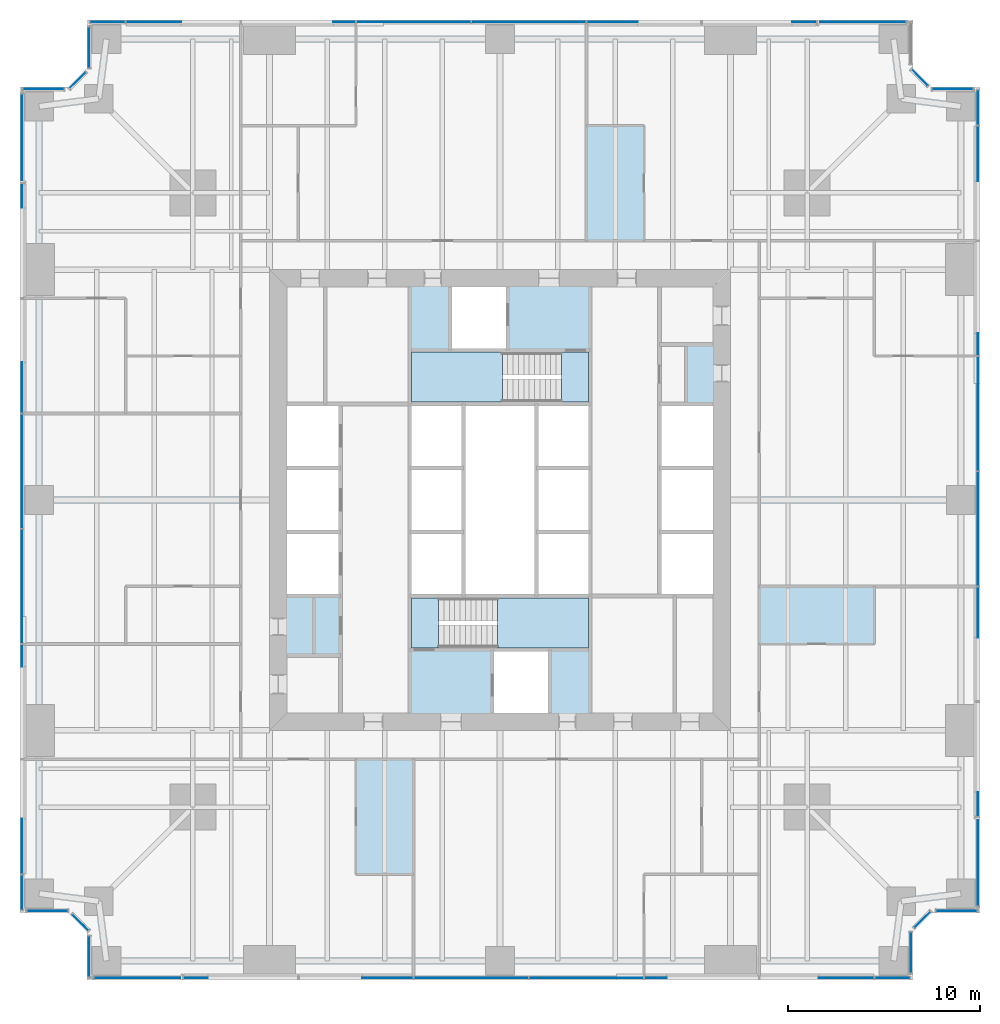
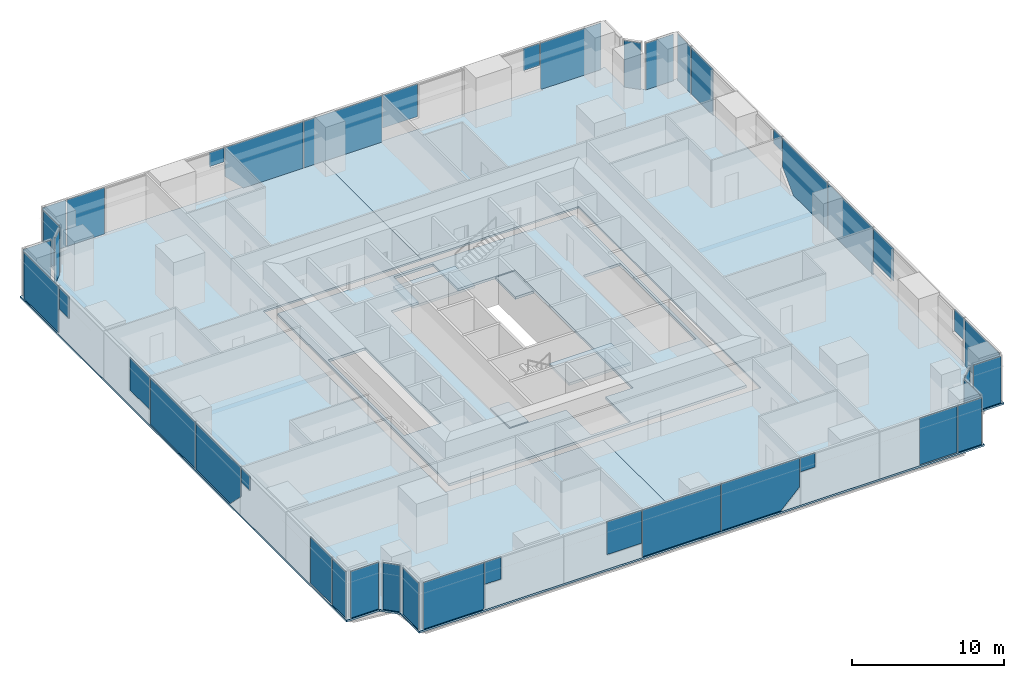
# One storey, part 8 of 15: 43 plates, 7 slabs, 17 elements without a shape of their own.
"""IFC4 building model written with IfcOpenShell, lengths in metres."""

import ifcopenshell
import ifcopenshell.guid

model = None  # the IFC model being written
_history = None  # IfcOwnerHistory: only IFC2X3 demands one
_inside = {}  # id of a spatial element -> (the spatial element, [elements in it])
_under = {}  # id of a project, library or spatial element -> (it, [spatial elements below it])
_declared = {}  # id of a project -> (the project, [libraries it declares])
_typed = {}  # id of a type object -> (the type object, [elements of that type])
_made_of = {}  # id of a material, layer set ... -> (it, [elements and type objects made of it])


def new_model(schema):
    """Start an empty IFC model of exactly this schema.

    Asked for "IFC4X3", IfcOpenShell would pick the latest addendum, in which some entities
    have other attributes; the version numbers below select the first issue.
    IFC2X3 requires an IfcOwnerHistory on every rooted entity: one is made here for all.
    """
    global model, _history
    if schema == "IFC4X3":
        model = ifcopenshell.file(schema_version=(4, 3, 0, 0))
    else:
        model = ifcopenshell.file(schema=schema)
    _inside.clear()
    _under.clear()
    _declared.clear()
    _typed.clear()
    _made_of.clear()
    _history = None
    if model.schema == "IFC2X3":
        org = make("IfcOrganization", Name="unknown")
        user = make(
            "IfcPersonAndOrganization",
            ThePerson=make("IfcPerson", FamilyName="unknown"),
            TheOrganization=org,
        )
        app = make(
            "IfcApplication",
            ApplicationDeveloper=org,
            Version="unknown",
            ApplicationFullName="unknown",
            ApplicationIdentifier="unknown",
        )
        _history = make(
            "IfcOwnerHistory",
            OwningUser=user,
            OwningApplication=app,
            ChangeAction="ADDED",
            CreationDate=0,
        )
    return model


def make(cls, **values):
    """One entity of the class cls with the attributes given. An attribute that is None is left unset."""
    return model.create_entity(
        cls, **{name: value for name, value in values.items() if value is not None}
    )


def rooted(cls, **values):
    """An entity with a GlobalId (a new one), such as an element, a storey or a relation."""
    return make(cls, GlobalId=ifcopenshell.guid.new(), OwnerHistory=_history, **values)


def si_unit(unit_type, name, prefix=None):
    """IfcSIUnit, for example si_unit("LENGTHUNIT", "METRE", prefix="MILLI")."""
    return make("IfcSIUnit", UnitType=unit_type, Prefix=prefix, Name=name)


def assignment(units):
    """IfcUnitAssignment: the units of a project."""
    return None if units is None else make("IfcUnitAssignment", Units=units)


def point(xyz):
    """IfcCartesianPoint."""
    return None if xyz is None else make("IfcCartesianPoint", Coordinates=xyz)


def direction(xyz):
    """IfcDirection."""
    return None if xyz is None else make("IfcDirection", DirectionRatios=xyz)


def frame(location, z_axis=None, x_axis=None):
    """IfcAxis2Placement3D, a coordinate frame: its origin and axes. An axis left out is left unset."""
    return make(
        "IfcAxis2Placement3D",
        Location=point(location),
        Axis=direction(z_axis),
        RefDirection=direction(x_axis),
    )


def frame_2d(location, x_axis=None):
    """IfcAxis2Placement2D, a coordinate frame in the plane: its origin and x axis."""
    return make(
        "IfcAxis2Placement2D", Location=point(location), RefDirection=direction(x_axis)
    )


def origin():
    """The frame at (0, 0, 0) with its axes left unset."""
    return frame((0.0, 0.0, 0.0))


def origin_2d():
    """The frame at (0, 0) in the plane with its x axis left unset."""
    return frame_2d((0.0, 0.0))


def place(relative_to, where):
    """IfcLocalPlacement: puts the frame where relative to a parent placement (None: the world)."""
    return make(
        "IfcLocalPlacement", PlacementRelTo=relative_to, RelativePlacement=where
    )


def context(
    kind, dimensions, precision=None, world=None, true_north=None, identifier=None
):
    """IfcGeometricRepresentationContext, for example the 3D "Model" context."""
    return make(
        "IfcGeometricRepresentationContext",
        ContextIdentifier=identifier,
        ContextType=kind,
        CoordinateSpaceDimension=dimensions,
        Precision=precision,
        WorldCoordinateSystem=world,
        TrueNorth=true_north,
    )


def subcontext(parent, identifier, kind, view, scale=None):
    """IfcGeometricRepresentationSubContext, for example "Body" below "Model"."""
    return make(
        "IfcGeometricRepresentationSubContext",
        ContextIdentifier=identifier,
        ContextType=kind,
        ParentContext=parent,
        TargetScale=scale,
        TargetView=view,
    )


def project(units=None, contexts=None):
    """IfcProject with its units and contexts."""
    return rooted(
        "IfcProject",
        Name="project",
        RepresentationContexts=contexts,
        UnitsInContext=assignment(units),
    )


def spatial(cls, under=None, at=None, **own):
    """A site, building, storey or space (cls), placed at a placement, below another one or the project."""
    s = rooted(cls, ObjectPlacement=at, **own)
    if under is not None:
        _under.setdefault(under.id(), (under, []))[1].append(s)
    return s


def polyline(points):
    """IfcPolyline through the points."""
    return make("IfcPolyline", Points=[point(p) for p in points])


def profile(cls, at=None, kind="AREA", **sizes):
    """A parametric profile (cls). Its sizes go by their IFC names, for example OverallWidth=200.0."""
    return make(cls, ProfileType=kind, Position=at, **sizes)


def rectangle(**sizes):
    """IfcRectangleProfileDef."""
    return profile("IfcRectangleProfileDef", **sizes)


def outline(outer, holes=None, kind="AREA"):
    """IfcArbitraryClosedProfileDef: a profile drawn as a closed curve; with holes, ...WithVoids."""
    if holes is None:
        return make("IfcArbitraryClosedProfileDef", ProfileType=kind, OuterCurve=outer)
    return make(
        "IfcArbitraryProfileDefWithVoids",
        ProfileType=kind,
        OuterCurve=outer,
        InnerCurves=holes,
    )


def extrude(swept, where, along, depth):
    """IfcExtrudedAreaSolid: the profile swept, set in the frame where, extruded along a direction by depth."""
    return make(
        "IfcExtrudedAreaSolid",
        SweptArea=swept,
        Position=where,
        ExtrudedDirection=direction(along),
        Depth=depth,
    )


def shape(context_of_items, identifier, shape_type, items):
    """IfcShapeRepresentation: the items that make up one representation, for example the "Body"."""
    return make(
        "IfcShapeRepresentation",
        ContextOfItems=context_of_items,
        RepresentationIdentifier=identifier,
        RepresentationType=shape_type,
        Items=items,
    )


def material(Name=None, Category=None):
    """IfcMaterial."""
    return make("IfcMaterial", Name=Name, Category=Category)


def layer(
    of_material, thickness, ventilated=None, Name=None, Category=None, Priority=None
):
    """IfcMaterialLayer: one layer of a wall or slab, of a material (None: an air gap)."""
    return make(
        "IfcMaterialLayer",
        Material=of_material,
        LayerThickness=thickness,
        IsVentilated=ventilated,
        Name=Name,
        Category=Category,
        Priority=Priority,
    )


def layer_set(layers, Name=None):
    """IfcMaterialLayerSet."""
    return make("IfcMaterialLayerSet", MaterialLayers=layers, LayerSetName=Name)


def made_of(thing, what):
    """Note that an element or type object is made of a material, layer set ...; save() writes the relation."""
    if what is not None:
        _made_of.setdefault(what.id(), (what, []))[1].append(thing)
    return thing


def type_object(cls, material=None, **own):
    """A type object (cls), such as IfcWallType, which elements share."""
    return made_of(rooted(cls, **own), material)


def element(
    cls,
    number,
    at=None,
    inside=None,
    cuts=None,
    type_object=None,
    material=None,
    context=None,
    identifier="Body",
    shape_type=None,
    held_by="IfcProductDefinitionShape",
    body=None,
    shapes=None,
    **own,
):
    """One element of the class cls, such as IfcWall. Its Tag is "e" and its number.

    at: its placement. inside: the storey or other place that contains it. cuts: it is an
    opening in that element (IfcRelVoidsElement). A single representation is given by context,
    identifier, shape_type and body (its items); several are given by shapes. held_by: the class
    of the entity that holds the representations. save() writes the other relations.
    """
    e = rooted(cls, Tag="e%d" % number, ObjectPlacement=at, **own)
    if body is not None:
        shapes = [shape(context, identifier, shape_type, body)]
    if shapes is not None:
        e.Representation = make(held_by, Representations=shapes)
    if inside is not None:
        _inside.setdefault(inside.id(), (inside, []))[1].append(e)
    if cuts is not None:
        rooted(
            "IfcRelVoidsElement", RelatingBuildingElement=cuts, RelatedOpeningElement=e
        )
    if type_object is not None:
        _typed.setdefault(type_object.id(), (type_object, []))[1].append(e)
    return made_of(e, material)


def aggregate(whole, parts):
    """IfcRelAggregates: a whole, such as a stair, and the parts it consists of."""
    return rooted("IfcRelAggregates", RelatingObject=whole, RelatedObjects=parts)


def save(model, path):
    """Write the relations noted so far, then the file.

    IfcRelAggregates (storeys below a building ...), IfcRelContainedInSpatialStructure (elements
    in a storey), IfcRelDefinesByType, IfcRelAssociatesMaterial and IfcRelDeclares: one each for
    every whole, place, type object, material and project.
    """
    for whole, parts in _under.values():
        aggregate(whole, parts)
    for where, things in _inside.values():
        rooted(
            "IfcRelContainedInSpatialStructure",
            RelatedElements=things,
            RelatingStructure=where,
        )
    for kind, things in _typed.values():
        rooted("IfcRelDefinesByType", RelatedObjects=things, RelatingType=kind)
    for what, things in _made_of.values():
        rooted("IfcRelAssociatesMaterial", RelatedObjects=things, RelatingMaterial=what)
    for by, libraries in _declared.values():
        rooted("IfcRelDeclares", RelatingContext=by, RelatedDefinitions=libraries)
    model.write(path)


model = new_model("IFC4")

# Units and contexts
model_context = context("Model", 3, precision=1e-05, world=origin(), true_north=direction((0.0, 1.0)))
body_context = subcontext(model_context, "Body", "Model", "MODEL_VIEW")
ifc_project = project(units=[si_unit("LENGTHUNIT", "METRE"), si_unit("AREAUNIT", "SQUARE_METRE"), si_unit("VOLUMEUNIT", "CUBIC_METRE"), si_unit("PLANEANGLEUNIT", "RADIAN"), si_unit("MASSUNIT", "GRAM", prefix="KILO")], contexts=[model_context])

# Site, building, storey
site_placement = place(None, origin())
site = spatial("IfcSite", under=ifc_project, at=site_placement, CompositionType="ELEMENT")
building_placement = place(site_placement, origin())
building = spatial("IfcBuilding", under=site, at=building_placement, Name="Fenwick Lantern Interchange", CompositionType="ELEMENT")
storey_placement = place(building_placement, frame((0.0, 0.0, 51.0)))
storey = spatial("IfcBuildingStorey", under=building, at=storey_placement, Name="L11", CompositionType="ELEMENT", Elevation=51.0)

# Slabs
ifc_material_1 = material(Name="Concrete f'c 35 MPa", Category="concrete")
ifc_layer_1 = layer(ifc_material_1, 0.199951171875)
ifc_layer_set_1 = layer_set([ifc_layer_1], Name="CORE FLOOR SLAB 200")
slab_type_1 = type_object("IfcSlabType", Name="CORE FLOOR SLAB 200", PredefinedType="FLOOR", material=ifc_layer_set_1)
slab_1_placement = place(storey_placement, frame((0.0, 0.0, -0.199951171875)))
element("IfcSlab", 1, at=slab_1_placement, inside=storey, type_object=slab_type_1, Name="L11/SLAB/CORE", PredefinedType="FLOOR", context=body_context, shape_type="SweptSolid", body=[
    extrude(outline(polyline([(13.699951171875, 36.300048828125), (36.300048828125, 36.300048828125), (36.300048828125, 13.699951171875), (13.699951171875, 13.699951171875), (13.699951171875, 36.300048828125)]), holes=[polyline([(13.89990234375, 20.0), (16.699951171875, 20.0), (16.699951171875, 23.333251953125), (16.699951171875, 26.666748046875), (16.699951171875, 30.0), (13.89990234375, 30.0), (13.89990234375, 26.666748046875), (13.89990234375, 23.333251953125), (13.89990234375, 20.0)]), polyline([(20.300048828125, 20.0), (20.300048828125, 17.199951171875), (24.60009765625, 17.199951171875), (24.60009765625, 13.89990234375), (27.60009765625, 13.89990234375), (27.60009765625, 17.199951171875), (29.699951171875, 17.199951171875), (29.699951171875, 20.0), (29.699951171875, 23.333251953125), (29.699951171875, 26.666748046875), (29.699951171875, 30.0), (29.699951171875, 32.800048828125), (25.39990234375, 32.800048828125), (25.39990234375, 36.10009765625), (22.39990234375, 36.10009765625), (22.39990234375, 32.800048828125), (20.300048828125, 32.800048828125), (20.300048828125, 30.0), (20.300048828125, 26.666748046875), (20.300048828125, 23.333251953125), (20.300048828125, 20.0)]), polyline([(33.300048828125, 23.333251953125), (33.300048828125, 20.0), (36.10009765625, 20.0), (36.10009765625, 23.333251953125), (36.10009765625, 26.666748046875), (36.10009765625, 30.0), (33.300048828125, 30.0), (33.300048828125, 26.666748046875), (33.300048828125, 23.333251953125)])]), origin(), (0.0, 0.0, 1.0), 0.199951171875),
])
ifc_material_2 = material(Name="Concrete f'c 35 MPa", Category="concrete")
ifc_layer_2 = layer(ifc_material_2, 0.14990234375)
ifc_layer_set_2 = layer_set([ifc_layer_2], Name="Concrete f'c 35 MPa")
slab_type_2 = type_object("IfcSlabType", Name="FLOOR SLAB 150", PredefinedType="FLOOR", material=ifc_layer_set_2)
slab_2_placement = place(storey_placement, frame((0.0, 0.0, -0.14990234375)))
element("IfcSlab", 2, at=slab_2_placement, inside=storey, type_object=slab_type_2, Name="L11/SLAB/FW", PredefinedType="FLOOR", context=body_context, shape_type="SweptSolid", body=[
    extrude(outline(polyline([(3.5, 0.0), (3.5, 2.5), (2.5, 3.5), (0.0, 3.5), (0.0, 46.5), (2.5, 46.5), (3.5, 47.5), (3.5, 50.0), (25.0, 50.0), (25.0, 37.0), (13.0, 37.0), (13.0, 13.0), (25.0, 13.0), (25.0, 0.0), (3.5, 0.0)])), origin(), (0.0, 0.0, 1.0), 0.14990234375),
])
slab_3_placement = place(storey_placement, frame((0.0, 0.0, -0.14990234375)))
element("IfcSlab", 3, at=slab_3_placement, inside=storey, type_object=slab_type_2, Name="L11/SLAB/FE", PredefinedType="FLOOR", context=body_context, shape_type="SweptSolid", body=[
    extrude(outline(polyline([(46.5, 50.0), (46.5, 47.5), (47.5, 46.5), (50.0, 46.5), (50.0, 3.5), (47.5, 3.5), (46.5, 2.5), (46.5, 0.0), (25.0, 0.0), (25.0, 13.0), (37.0, 13.0), (37.0, 37.0), (25.0, 37.0), (25.0, 50.0), (46.5, 50.0)])), origin(), (0.0, 0.0, 1.0), 0.14990234375),
])

# Curtain wall, plates
ifc_material_3 = material(Name="Aluminium curtain wall frame", Category="aluminium")
curtain_wall_type = type_object("IfcCurtainWallType", Name="OFFICE CURTAIN WALL", PredefinedType="USERDEFINED", material=ifc_material_3)
curtain_wall_1_placement = place(storey_placement, origin())
curtain_wall_1 = element("IfcCurtainWall", 4, at=curtain_wall_1_placement, inside=storey, type_object=curtain_wall_type, Name="Office curtain wall 01", ObjectType="OFFICE CURTAIN WALL", PredefinedType="USERDEFINED")
ifc_material_4 = material(Name="Vision glass, clear low-iron double glazed", Category="glass")
ifc_layer_3 = layer(ifc_material_4, 0.031982421875)
ifc_layer_set_3 = layer_set([ifc_layer_3], Name="OFFICE CURTAIN WALL PANEL 32")
plate_type = type_object("IfcPlateType", Name="OFFICE CURTAIN WALL PANEL 32", PredefinedType="CURTAIN_PANEL", material=ifc_layer_set_3)
plate_1_placement = place(storey_placement, frame((3.60009765625, 0.10009765625, 0.0), z_axis=(0.0, 0.0, 1.0), x_axis=(1.0, 0.0, 0.0)))
plate_1 = element("IfcPlate", 5, at=plate_1_placement, type_object=plate_type, Name="L11/CW/01/P00a", PredefinedType="CURTAIN_PANEL", context=body_context, shape_type="SweptSolid", body=[
    extrude(outline(polyline([(0.264892578125, 0.0), (4.7900390625, 0.0), (4.867431640625, 0.109375), (4.867431640625, 3.75), (0.264892578125, 3.75), (0.264892578125, 0.0)])), frame((0.0, 0.01611328125, 0.0), z_axis=(0.0, -1.0, 0.0), x_axis=(1.0, 0.0, 0.0)), (0.0, 0.0, 1.0), 0.031982421875),
])
plate_2_placement = place(storey_placement, frame((3.60009765625, 0.10009765625, 1.972900390625), z_axis=(0.0, 0.0, 1.0), x_axis=(1.0, 0.0, 0.0)))
plate_2 = element("IfcPlate", 6, at=plate_2_placement, type_object=plate_type, Name="L11/CW/01/P01a", PredefinedType="CURTAIN_PANEL", context=body_context, shape_type="SweptSolid", body=[
    extrude(outline(polyline([(4.9326171875, 0.0), (6.1875, 0.0), (6.1875, 1.777099609375), (4.9326171875, 1.777099609375), (4.9326171875, 0.0)])), frame((0.0, 0.01611328125, 0.0), z_axis=(0.0, -1.0, 0.0), x_axis=(1.0, 0.0, 0.0)), (0.0, 0.0, 1.0), 0.031982421875),
])
plate_3_placement = place(storey_placement, frame((3.60009765625, 0.10009765625, 1.10888671875), z_axis=(0.0, 0.0, 1.0), x_axis=(1.0, 0.0, 0.0)))
plate_3 = element("IfcPlate", 7, at=plate_3_placement, type_object=plate_type, Name="L11/CW/01/P02a", PredefinedType="CURTAIN_PANEL", context=body_context, shape_type="SweptSolid", body=[
    extrude(outline(polyline([(14.23046875, 0.0), (16.867431640625, 0.0), (16.867431640625, 2.64111328125), (14.23046875, 2.64111328125), (14.23046875, 0.0)])), frame((0.0, 0.01611328125, 0.0), z_axis=(0.0, -1.0, 0.0), x_axis=(1.0, 0.0, 0.0)), (0.0, 0.0, 1.0), 0.031982421875),
])
plate_4_placement = place(storey_placement, frame((23.5, 0.10009765625, 0.0), z_axis=(0.0, 0.0, 1.0), x_axis=(1.0, 0.0, 0.0)))
plate_4 = element("IfcPlate", 8, at=plate_4_placement, type_object=plate_type, Name="L11/CW/01/P03", PredefinedType="CURTAIN_PANEL", context=body_context, shape_type="SweptSolid", body=[
    extrude(rectangle(XDim=5.93505859375, YDim=0.031982421875, at=origin_2d()), origin(), (0.0, 0.0, 1.0), 3.75),
])
plate_5_placement = place(storey_placement, frame((3.60009765625, 0.10009765625, 0.0), z_axis=(0.0, 0.0, 1.0), x_axis=(1.0, 0.0, 0.0)))
plate_5 = element("IfcPlate", 9, at=plate_5_placement, type_object=plate_type, Name="L11/CW/01/P04a", PredefinedType="CURTAIN_PANEL", context=body_context, shape_type="SweptSolid", body=[
    extrude(outline(polyline([(22.9326171875, 0.0), (27.46044921875, 0.0), (28.867431640625, 1.406982421875), (28.867431640625, 3.75), (22.9326171875, 3.75), (22.9326171875, 0.0)])), frame((0.0, 0.01611328125, 0.0), z_axis=(0.0, -1.0, 0.0), x_axis=(1.0, 0.0, 0.0)), (0.0, 0.0, 1.0), 0.031982421875),
])
plate_6_placement = place(storey_placement, frame((3.60009765625, 0.10009765625, 2.612060546875), z_axis=(0.0, 0.0, 1.0), x_axis=(1.0, 0.0, 0.0)))
plate_6 = element("IfcPlate", 10, at=plate_6_placement, type_object=plate_type, Name="L11/CW/01/P05a", PredefinedType="CURTAIN_PANEL", context=body_context, shape_type="SweptSolid", body=[
    extrude(outline(polyline([(28.9326171875, 0.0), (30.072509765625, 0.0), (30.072509765625, 1.137939453125), (28.9326171875, 1.137939453125), (28.9326171875, 0.0)])), frame((0.0, 0.01611328125, 0.0), z_axis=(0.0, -1.0, 0.0), x_axis=(1.0, 0.0, 0.0)), (0.0, 0.0, 1.0), 0.031982421875),
])
plate_7_placement = place(storey_placement, frame((3.60009765625, 0.10009765625, 0.006103515625), z_axis=(0.0, 0.0, 1.0), x_axis=(1.0, 0.0, 0.0)))
plate_7 = element("IfcPlate", 11, at=plate_7_placement, type_object=plate_type, Name="L11/CW/01/P06a", PredefinedType="CURTAIN_PANEL", context=body_context, shape_type="SweptSolid", body=[
    extrude(outline(polyline([(38.005615234375, 0.0), (40.867431640625, 0.0), (40.867431640625, 3.743896484375), (38.005615234375, 3.743896484375), (38.005615234375, 0.0)])), frame((0.0, 0.01611328125, 0.0), z_axis=(0.0, -1.0, 0.0), x_axis=(1.0, 0.0, 0.0)), (0.0, 0.0, 1.0), 0.031982421875),
])
plate_8_placement = place(storey_placement, frame((45.433837890625, 0.10009765625, 0.0), z_axis=(0.0, 0.0, 1.0), x_axis=(1.0, 0.0, 0.0)))
plate_8 = element("IfcPlate", 12, at=plate_8_placement, type_object=plate_type, Name="L11/CW/01/P07", PredefinedType="CURTAIN_PANEL", context=body_context, shape_type="SweptSolid", body=[
    extrude(rectangle(XDim=1.802490234375, YDim=0.031982421875, at=origin_2d()), origin(), (0.0, 0.0, 1.0), 3.75),
])
aggregate(curtain_wall_1, [plate_1, plate_2, plate_3, plate_4, plate_5, plate_6, plate_7, plate_8])

# Curtain wall, plate
curtain_wall_2_placement = place(storey_placement, origin())
curtain_wall_2 = element("IfcCurtainWall", 13, at=curtain_wall_2_placement, inside=storey, type_object=curtain_wall_type, Name="Office curtain wall 02", ObjectType="OFFICE CURTAIN WALL", PredefinedType="USERDEFINED")
plate_9_placement = place(storey_placement, frame((46.39990234375, 1.420654296875, 0.0), z_axis=(0.0, 0.0, 1.0), x_axis=(0.0, 1.0, 0.0)))
plate_9 = element("IfcPlate", 14, at=plate_9_placement, type_object=plate_type, Name="L11/CW/02/P00", PredefinedType="CURTAIN_PANEL", context=body_context, shape_type="SweptSolid", body=[
    extrude(rectangle(XDim=2.111328125, YDim=0.031982421875, at=origin_2d()), origin(), (0.0, 0.0, 1.0), 3.75),
])
aggregate(curtain_wall_2, [plate_9])

curtain_wall_3_placement = place(storey_placement, origin())
curtain_wall_3 = element("IfcCurtainWall", 15, at=curtain_wall_3_placement, inside=storey, type_object=curtain_wall_type, Name="Office curtain wall 03", ObjectType="OFFICE CURTAIN WALL", PredefinedType="USERDEFINED")
plate_10_placement = place(storey_placement, frame((47.0, 3.141357421875, 0.0), z_axis=(0.0, 0.0, 1.0), x_axis=(0.707106781187, 0.707106781187, 0.0)))
plate_10 = element("IfcPlate", 16, at=plate_10_placement, type_object=plate_type, Name="L11/CW/03/P00", PredefinedType="CURTAIN_PANEL", context=body_context, shape_type="SweptSolid", body=[
    extrude(rectangle(XDim=1.1669921875, YDim=0.031982421875, at=origin_2d()), origin(), (0.0, 0.0, 1.0), 3.75),
])
aggregate(curtain_wall_3, [plate_10])

curtain_wall_4_placement = place(storey_placement, origin())
curtain_wall_4 = element("IfcCurtainWall", 17, at=curtain_wall_4_placement, inside=storey, type_object=curtain_wall_type, Name="Office curtain wall 04", ObjectType="OFFICE CURTAIN WALL", PredefinedType="USERDEFINED")
plate_11_placement = place(storey_placement, frame((48.779296875, 3.60009765625, 0.0), z_axis=(0.0, 0.0, 1.0), x_axis=(1.0, 0.0, 0.0)))
plate_11 = element("IfcPlate", 18, at=plate_11_placement, type_object=plate_type, Name="L11/CW/04/P00", PredefinedType="CURTAIN_PANEL", context=body_context, shape_type="SweptSolid", body=[
    extrude(rectangle(XDim=2.111328125, YDim=0.031982421875, at=origin_2d()), origin(), (0.0, 0.0, 1.0), 3.75),
])
aggregate(curtain_wall_4, [plate_11])

# Curtain wall, plates
curtain_wall_5_placement = place(storey_placement, origin())
curtain_wall_5 = element("IfcCurtainWall", 19, at=curtain_wall_5_placement, inside=storey, type_object=curtain_wall_type, Name="Office curtain wall 05", ObjectType="OFFICE CURTAIN WALL", PredefinedType="USERDEFINED")
plate_12_placement = place(storey_placement, frame((49.89990234375, 3.60009765625, 0.0), z_axis=(0.0, 0.0, 1.0), x_axis=(0.0, 1.0, 0.0)))
plate_12 = element("IfcPlate", 20, at=plate_12_placement, type_object=plate_type, Name="L11/CW/05/P00a", PredefinedType="CURTAIN_PANEL", context=body_context, shape_type="SweptSolid", body=[
    extrude(outline(polyline([(0.264892578125, 0.0), (4.7900390625, 0.0), (4.867431640625, 0.109375), (4.867431640625, 3.75), (0.264892578125, 3.75), (0.264892578125, 0.0)])), frame((0.0, 0.01611328125, 0.0), z_axis=(0.0, -1.0, 0.0), x_axis=(1.0, 0.0, 0.0)), (0.0, 0.0, 1.0), 0.031982421875),
])
plate_13_placement = place(storey_placement, frame((49.89990234375, 3.60009765625, 1.972900390625), z_axis=(0.0, 0.0, 1.0), x_axis=(0.0, 1.0, 0.0)))
plate_13 = element("IfcPlate", 21, at=plate_13_placement, type_object=plate_type, Name="L11/CW/05/P01a", PredefinedType="CURTAIN_PANEL", context=body_context, shape_type="SweptSolid", body=[
    extrude(outline(polyline([(4.9326171875, 0.0), (6.1875, 0.0), (6.1875, 1.777099609375), (4.9326171875, 1.777099609375), (4.9326171875, 0.0)])), frame((0.0, 0.01611328125, 0.0), z_axis=(0.0, -1.0, 0.0), x_axis=(1.0, 0.0, 0.0)), (0.0, 0.0, 1.0), 0.031982421875),
])
plate_14_placement = place(storey_placement, frame((49.89990234375, 3.60009765625, 1.10888671875), z_axis=(0.0, 0.0, 1.0), x_axis=(0.0, 1.0, 0.0)))
plate_14 = element("IfcPlate", 22, at=plate_14_placement, type_object=plate_type, Name="L11/CW/05/P02a", PredefinedType="CURTAIN_PANEL", context=body_context, shape_type="SweptSolid", body=[
    extrude(outline(polyline([(14.23046875, 0.0), (16.867431640625, 0.0), (16.867431640625, 2.64111328125), (14.23046875, 2.64111328125), (14.23046875, 0.0)])), frame((0.0, 0.01611328125, 0.0), z_axis=(0.0, -1.0, 0.0), x_axis=(1.0, 0.0, 0.0)), (0.0, 0.0, 1.0), 0.031982421875),
])
plate_15_placement = place(storey_placement, frame((49.89990234375, 23.5, 0.0), z_axis=(0.0, 0.0, 1.0), x_axis=(0.0, 1.0, 0.0)))
plate_15 = element("IfcPlate", 23, at=plate_15_placement, type_object=plate_type, Name="L11/CW/05/P03", PredefinedType="CURTAIN_PANEL", context=body_context, shape_type="SweptSolid", body=[
    extrude(rectangle(XDim=5.93505859375, YDim=0.031982421875, at=origin_2d()), origin(), (0.0, 0.0, 1.0), 3.75),
])
plate_16_placement = place(storey_placement, frame((49.89990234375, 3.60009765625, 0.0), z_axis=(0.0, 0.0, 1.0), x_axis=(0.0, 1.0, 0.0)))
plate_16 = element("IfcPlate", 24, at=plate_16_placement, type_object=plate_type, Name="L11/CW/05/P04a", PredefinedType="CURTAIN_PANEL", context=body_context, shape_type="SweptSolid", body=[
    extrude(outline(polyline([(22.9326171875, 0.0), (27.46044921875, 0.0), (28.867431640625, 1.406982421875), (28.867431640625, 3.75), (22.9326171875, 3.75), (22.9326171875, 0.0)])), frame((0.0, 0.01611328125, 0.0), z_axis=(0.0, -1.0, 0.0), x_axis=(1.0, 0.0, 0.0)), (0.0, 0.0, 1.0), 0.031982421875),
])
plate_17_placement = place(storey_placement, frame((49.89990234375, 3.60009765625, 2.612060546875), z_axis=(0.0, 0.0, 1.0), x_axis=(0.0, 1.0, 0.0)))
plate_17 = element("IfcPlate", 25, at=plate_17_placement, type_object=plate_type, Name="L11/CW/05/P05a", PredefinedType="CURTAIN_PANEL", context=body_context, shape_type="SweptSolid", body=[
    extrude(outline(polyline([(28.9326171875, 0.0), (30.072509765625, 0.0), (30.072509765625, 1.137939453125), (28.9326171875, 1.137939453125), (28.9326171875, 0.0)])), frame((0.0, 0.01611328125, 0.0), z_axis=(0.0, -1.0, 0.0), x_axis=(1.0, 0.0, 0.0)), (0.0, 0.0, 1.0), 0.031982421875),
])
plate_18_placement = place(storey_placement, frame((49.89990234375, 3.60009765625, 0.006103515625), z_axis=(0.0, 0.0, 1.0), x_axis=(0.0, 1.0, 0.0)))
plate_18 = element("IfcPlate", 26, at=plate_18_placement, type_object=plate_type, Name="L11/CW/05/P06a", PredefinedType="CURTAIN_PANEL", context=body_context, shape_type="SweptSolid", body=[
    extrude(outline(polyline([(38.005615234375, 0.0), (40.867431640625, 0.0), (40.867431640625, 3.743896484375), (38.005615234375, 3.743896484375), (38.005615234375, 0.0)])), frame((0.0, 0.01611328125, 0.0), z_axis=(0.0, -1.0, 0.0), x_axis=(1.0, 0.0, 0.0)), (0.0, 0.0, 1.0), 0.031982421875),
])
plate_19_placement = place(storey_placement, frame((49.89990234375, 45.433837890625, 0.0), z_axis=(0.0, 0.0, 1.0), x_axis=(0.0, 1.0, 0.0)))
plate_19 = element("IfcPlate", 27, at=plate_19_placement, type_object=plate_type, Name="L11/CW/05/P07", PredefinedType="CURTAIN_PANEL", context=body_context, shape_type="SweptSolid", body=[
    extrude(rectangle(XDim=1.802490234375, YDim=0.031982421875, at=origin_2d()), origin(), (0.0, 0.0, 1.0), 3.75),
])
aggregate(curtain_wall_5, [plate_12, plate_13, plate_14, plate_15, plate_16, plate_17, plate_18, plate_19])

# Curtain wall, plate
curtain_wall_6_placement = place(storey_placement, origin())
curtain_wall_6 = element("IfcCurtainWall", 28, at=curtain_wall_6_placement, inside=storey, type_object=curtain_wall_type, Name="Office curtain wall 06", ObjectType="OFFICE CURTAIN WALL", PredefinedType="USERDEFINED")
plate_20_placement = place(storey_placement, frame((48.579345703125, 46.39990234375, 0.0), z_axis=(0.0, 0.0, 1.0), x_axis=(-1.0, 0.0, 0.0)))
plate_20 = element("IfcPlate", 29, at=plate_20_placement, type_object=plate_type, Name="L11/CW/06/P00", PredefinedType="CURTAIN_PANEL", context=body_context, shape_type="SweptSolid", body=[
    extrude(rectangle(XDim=2.111328125, YDim=0.031982421875, at=origin_2d()), origin(), (0.0, 0.0, 1.0), 3.75),
])
aggregate(curtain_wall_6, [plate_20])

curtain_wall_7_placement = place(storey_placement, origin())
curtain_wall_7 = element("IfcCurtainWall", 30, at=curtain_wall_7_placement, inside=storey, type_object=curtain_wall_type, Name="Office curtain wall 07", ObjectType="OFFICE CURTAIN WALL", PredefinedType="USERDEFINED")
plate_21_placement = place(storey_placement, frame((46.858642578125, 47.0, 0.0), z_axis=(0.0, 0.0, 1.0), x_axis=(-0.707106781187, 0.707106781187, 0.0)))
plate_21 = element("IfcPlate", 31, at=plate_21_placement, type_object=plate_type, Name="L11/CW/07/P00", PredefinedType="CURTAIN_PANEL", context=body_context, shape_type="SweptSolid", body=[
    extrude(rectangle(XDim=1.1669921875, YDim=0.031982421875, at=origin_2d()), origin(), (0.0, 0.0, 1.0), 3.75),
])
aggregate(curtain_wall_7, [plate_21])

# Curtain wall, plates
curtain_wall_8_placement = place(storey_placement, origin())
curtain_wall_8 = element("IfcCurtainWall", 32, at=curtain_wall_8_placement, inside=storey, type_object=curtain_wall_type, Name="Office curtain wall 09", ObjectType="OFFICE CURTAIN WALL", PredefinedType="USERDEFINED")
plate_22_placement = place(storey_placement, frame((46.39990234375, 49.89990234375, 0.0), z_axis=(0.0, 0.0, 1.0), x_axis=(-1.0, 0.0, 0.0)))
plate_22 = element("IfcPlate", 33, at=plate_22_placement, type_object=plate_type, Name="L11/CW/09/P00a", PredefinedType="CURTAIN_PANEL", context=body_context, shape_type="SweptSolid", body=[
    extrude(outline(polyline([(0.264892578125, 0.0), (4.7900390625, 0.0), (4.867431640625, 0.109375), (4.867431640625, 3.75), (0.264892578125, 3.75), (0.264892578125, 0.0)])), frame((0.0, 0.01611328125, 0.0), z_axis=(0.0, -1.0, 0.0), x_axis=(1.0, 0.0, 0.0)), (0.0, 0.0, 1.0), 0.031982421875),
])
plate_23_placement = place(storey_placement, frame((46.39990234375, 49.89990234375, 1.972900390625), z_axis=(0.0, 0.0, 1.0), x_axis=(-1.0, 0.0, 0.0)))
plate_23 = element("IfcPlate", 34, at=plate_23_placement, type_object=plate_type, Name="L11/CW/09/P01a", PredefinedType="CURTAIN_PANEL", context=body_context, shape_type="SweptSolid", body=[
    extrude(outline(polyline([(4.9326171875, 0.0), (6.1875, 0.0), (6.1875, 1.777099609375), (4.9326171875, 1.777099609375), (4.9326171875, 0.0)])), frame((0.0, 0.01611328125, 0.0), z_axis=(0.0, -1.0, 0.0), x_axis=(1.0, 0.0, 0.0)), (0.0, 0.0, 1.0), 0.031982421875),
])
plate_24_placement = place(storey_placement, frame((46.39990234375, 49.89990234375, 1.10888671875), z_axis=(0.0, 0.0, 1.0), x_axis=(-1.0, 0.0, 0.0)))
plate_24 = element("IfcPlate", 35, at=plate_24_placement, type_object=plate_type, Name="L11/CW/09/P02a", PredefinedType="CURTAIN_PANEL", context=body_context, shape_type="SweptSolid", body=[
    extrude(outline(polyline([(14.23046875, 0.0), (16.867431640625, 0.0), (16.867431640625, 2.64111328125), (14.23046875, 2.64111328125), (14.23046875, 0.0)])), frame((0.0, 0.01611328125, 0.0), z_axis=(0.0, -1.0, 0.0), x_axis=(1.0, 0.0, 0.0)), (0.0, 0.0, 1.0), 0.031982421875),
])
plate_25_placement = place(storey_placement, frame((26.5, 49.89990234375, 0.0), z_axis=(0.0, 0.0, 1.0), x_axis=(-1.0, 0.0, 0.0)))
plate_25 = element("IfcPlate", 36, at=plate_25_placement, type_object=plate_type, Name="L11/CW/09/P03", PredefinedType="CURTAIN_PANEL", context=body_context, shape_type="SweptSolid", body=[
    extrude(rectangle(XDim=5.93505859375, YDim=0.031982421875, at=origin_2d()), origin(), (0.0, 0.0, 1.0), 3.75),
])
plate_26_placement = place(storey_placement, frame((46.39990234375, 49.89990234375, 0.0), z_axis=(0.0, 0.0, 1.0), x_axis=(-1.0, 0.0, 0.0)))
plate_26 = element("IfcPlate", 37, at=plate_26_placement, type_object=plate_type, Name="L11/CW/09/P04a", PredefinedType="CURTAIN_PANEL", context=body_context, shape_type="SweptSolid", body=[
    extrude(outline(polyline([(22.9326171875, 0.0), (27.46044921875, 0.0), (28.867431640625, 1.406982421875), (28.867431640625, 3.75), (22.9326171875, 3.75), (22.9326171875, 0.0)])), frame((0.0, 0.01611328125, 0.0), z_axis=(0.0, -1.0, 0.0), x_axis=(1.0, 0.0, 0.0)), (0.0, 0.0, 1.0), 0.031982421875),
])
plate_27_placement = place(storey_placement, frame((46.39990234375, 49.89990234375, 2.612060546875), z_axis=(0.0, 0.0, 1.0), x_axis=(-1.0, 0.0, 0.0)))
plate_27 = element("IfcPlate", 38, at=plate_27_placement, type_object=plate_type, Name="L11/CW/09/P05a", PredefinedType="CURTAIN_PANEL", context=body_context, shape_type="SweptSolid", body=[
    extrude(outline(polyline([(28.9326171875, 0.0), (30.072509765625, 0.0), (30.072509765625, 1.137939453125), (28.9326171875, 1.137939453125), (28.9326171875, 0.0)])), frame((0.0, 0.01611328125, 0.0), z_axis=(0.0, -1.0, 0.0), x_axis=(1.0, 0.0, 0.0)), (0.0, 0.0, 1.0), 0.031982421875),
])
plate_28_placement = place(storey_placement, frame((46.39990234375, 49.89990234375, 0.006103515625), z_axis=(0.0, 0.0, 1.0), x_axis=(-1.0, 0.0, 0.0)))
plate_28 = element("IfcPlate", 39, at=plate_28_placement, type_object=plate_type, Name="L11/CW/09/P06a", PredefinedType="CURTAIN_PANEL", context=body_context, shape_type="SweptSolid", body=[
    extrude(outline(polyline([(38.005615234375, 0.0), (40.867431640625, 0.0), (40.867431640625, 3.743896484375), (38.005615234375, 3.743896484375), (38.005615234375, 0.0)])), frame((0.0, 0.01611328125, 0.0), z_axis=(0.0, -1.0, 0.0), x_axis=(1.0, 0.0, 0.0)), (0.0, 0.0, 1.0), 0.031982421875),
])
plate_29_placement = place(storey_placement, frame((4.566162109375, 49.89990234375, 0.0), z_axis=(0.0, 0.0, 1.0), x_axis=(-1.0, 0.0, 0.0)))
plate_29 = element("IfcPlate", 40, at=plate_29_placement, type_object=plate_type, Name="L11/CW/09/P07", PredefinedType="CURTAIN_PANEL", context=body_context, shape_type="SweptSolid", body=[
    extrude(rectangle(XDim=1.802490234375, YDim=0.031982421875, at=origin_2d()), origin(), (0.0, 0.0, 1.0), 3.75),
])
aggregate(curtain_wall_8, [plate_22, plate_23, plate_24, plate_25, plate_26, plate_27, plate_28, plate_29])

# Curtain wall, plate
curtain_wall_9_placement = place(storey_placement, origin())
curtain_wall_9 = element("IfcCurtainWall", 41, at=curtain_wall_9_placement, inside=storey, type_object=curtain_wall_type, Name="Office curtain wall 10", ObjectType="OFFICE CURTAIN WALL", PredefinedType="USERDEFINED")
plate_30_placement = place(storey_placement, frame((3.60009765625, 48.579345703125, 0.0), z_axis=(0.0, 0.0, 1.0), x_axis=(0.0, -1.0, 0.0)))
plate_30 = element("IfcPlate", 42, at=plate_30_placement, type_object=plate_type, Name="L11/CW/10/P00", PredefinedType="CURTAIN_PANEL", context=body_context, shape_type="SweptSolid", body=[
    extrude(rectangle(XDim=2.111328125, YDim=0.031982421875, at=origin_2d()), origin(), (0.0, 0.0, 1.0), 3.75),
])
aggregate(curtain_wall_9, [plate_30])

curtain_wall_10_placement = place(storey_placement, origin())
curtain_wall_10 = element("IfcCurtainWall", 43, at=curtain_wall_10_placement, inside=storey, type_object=curtain_wall_type, Name="Office curtain wall 11", ObjectType="OFFICE CURTAIN WALL", PredefinedType="USERDEFINED")
plate_31_placement = place(storey_placement, frame((3.0, 46.858642578125, 0.0), z_axis=(0.0, 0.0, 1.0), x_axis=(-0.707106781187, -0.707106781187, 0.0)))
plate_31 = element("IfcPlate", 44, at=plate_31_placement, type_object=plate_type, Name="L11/CW/11/P00", PredefinedType="CURTAIN_PANEL", context=body_context, shape_type="SweptSolid", body=[
    extrude(rectangle(XDim=1.1669921875, YDim=0.031982421875, at=origin_2d()), origin(), (0.0, 0.0, 1.0), 3.75),
])
aggregate(curtain_wall_10, [plate_31])

curtain_wall_11_placement = place(storey_placement, origin())
curtain_wall_11 = element("IfcCurtainWall", 45, at=curtain_wall_11_placement, inside=storey, type_object=curtain_wall_type, Name="Office curtain wall 12", ObjectType="OFFICE CURTAIN WALL", PredefinedType="USERDEFINED")
plate_32_placement = place(storey_placement, frame((1.220703125, 46.39990234375, 0.0), z_axis=(0.0, 0.0, 1.0), x_axis=(-1.0, 0.0, 0.0)))
plate_32 = element("IfcPlate", 46, at=plate_32_placement, type_object=plate_type, Name="L11/CW/12/P00", PredefinedType="CURTAIN_PANEL", context=body_context, shape_type="SweptSolid", body=[
    extrude(rectangle(XDim=2.111328125, YDim=0.031982421875, at=origin_2d()), origin(), (0.0, 0.0, 1.0), 3.75),
])
aggregate(curtain_wall_11, [plate_32])

# Curtain wall, plates
curtain_wall_12_placement = place(storey_placement, origin())
curtain_wall_12 = element("IfcCurtainWall", 47, at=curtain_wall_12_placement, inside=storey, type_object=curtain_wall_type, Name="Office curtain wall 13", ObjectType="OFFICE CURTAIN WALL", PredefinedType="USERDEFINED")
plate_33_placement = place(storey_placement, frame((0.10009765625, 46.39990234375, 0.0), z_axis=(0.0, 0.0, 1.0), x_axis=(0.0, -1.0, 0.0)))
plate_33 = element("IfcPlate", 48, at=plate_33_placement, type_object=plate_type, Name="L11/CW/13/P00a", PredefinedType="CURTAIN_PANEL", context=body_context, shape_type="SweptSolid", body=[
    extrude(outline(polyline([(0.264892578125, 0.0), (4.7900390625, 0.0), (4.867431640625, 0.109375), (4.867431640625, 3.75), (0.264892578125, 3.75), (0.264892578125, 0.0)])), frame((0.0, 0.01611328125, 0.0), z_axis=(0.0, -1.0, 0.0), x_axis=(1.0, 0.0, 0.0)), (0.0, 0.0, 1.0), 0.031982421875),
])
plate_34_placement = place(storey_placement, frame((0.10009765625, 46.39990234375, 1.972900390625), z_axis=(0.0, 0.0, 1.0), x_axis=(0.0, -1.0, 0.0)))
plate_34 = element("IfcPlate", 49, at=plate_34_placement, type_object=plate_type, Name="L11/CW/13/P01a", PredefinedType="CURTAIN_PANEL", context=body_context, shape_type="SweptSolid", body=[
    extrude(outline(polyline([(4.9326171875, 0.0), (6.1875, 0.0), (6.1875, 1.777099609375), (4.9326171875, 1.777099609375), (4.9326171875, 0.0)])), frame((0.0, 0.01611328125, 0.0), z_axis=(0.0, -1.0, 0.0), x_axis=(1.0, 0.0, 0.0)), (0.0, 0.0, 1.0), 0.031982421875),
])
plate_35_placement = place(storey_placement, frame((0.10009765625, 46.39990234375, 1.10888671875), z_axis=(0.0, 0.0, 1.0), x_axis=(0.0, -1.0, 0.0)))
plate_35 = element("IfcPlate", 50, at=plate_35_placement, type_object=plate_type, Name="L11/CW/13/P02a", PredefinedType="CURTAIN_PANEL", context=body_context, shape_type="SweptSolid", body=[
    extrude(outline(polyline([(14.23046875, 0.0), (16.867431640625, 0.0), (16.867431640625, 2.64111328125), (14.23046875, 2.64111328125), (14.23046875, 0.0)])), frame((0.0, 0.01611328125, 0.0), z_axis=(0.0, -1.0, 0.0), x_axis=(1.0, 0.0, 0.0)), (0.0, 0.0, 1.0), 0.031982421875),
])
plate_36_placement = place(storey_placement, frame((0.10009765625, 26.5, 0.0), z_axis=(0.0, 0.0, 1.0), x_axis=(0.0, -1.0, 0.0)))
plate_36 = element("IfcPlate", 51, at=plate_36_placement, type_object=plate_type, Name="L11/CW/13/P03", PredefinedType="CURTAIN_PANEL", context=body_context, shape_type="SweptSolid", body=[
    extrude(rectangle(XDim=5.93505859375, YDim=0.031982421875, at=origin_2d()), origin(), (0.0, 0.0, 1.0), 3.75),
])
plate_37_placement = place(storey_placement, frame((0.10009765625, 46.39990234375, 0.0), z_axis=(0.0, 0.0, 1.0), x_axis=(0.0, -1.0, 0.0)))
plate_37 = element("IfcPlate", 52, at=plate_37_placement, type_object=plate_type, Name="L11/CW/13/P04a", PredefinedType="CURTAIN_PANEL", context=body_context, shape_type="SweptSolid", body=[
    extrude(outline(polyline([(22.9326171875, 0.0), (27.46044921875, 0.0), (28.867431640625, 1.406982421875), (28.867431640625, 3.75), (22.9326171875, 3.75), (22.9326171875, 0.0)])), frame((0.0, 0.01611328125, 0.0), z_axis=(0.0, -1.0, 0.0), x_axis=(1.0, 0.0, 0.0)), (0.0, 0.0, 1.0), 0.031982421875),
])
plate_38_placement = place(storey_placement, frame((0.10009765625, 46.39990234375, 2.612060546875), z_axis=(0.0, 0.0, 1.0), x_axis=(0.0, -1.0, 0.0)))
plate_38 = element("IfcPlate", 53, at=plate_38_placement, type_object=plate_type, Name="L11/CW/13/P05a", PredefinedType="CURTAIN_PANEL", context=body_context, shape_type="SweptSolid", body=[
    extrude(outline(polyline([(28.9326171875, 0.0), (30.072509765625, 0.0), (30.072509765625, 1.137939453125), (28.9326171875, 1.137939453125), (28.9326171875, 0.0)])), frame((0.0, 0.01611328125, 0.0), z_axis=(0.0, -1.0, 0.0), x_axis=(1.0, 0.0, 0.0)), (0.0, 0.0, 1.0), 0.031982421875),
])
plate_39_placement = place(storey_placement, frame((0.10009765625, 46.39990234375, 0.006103515625), z_axis=(0.0, 0.0, 1.0), x_axis=(0.0, -1.0, 0.0)))
plate_39 = element("IfcPlate", 54, at=plate_39_placement, type_object=plate_type, Name="L11/CW/13/P06a", PredefinedType="CURTAIN_PANEL", context=body_context, shape_type="SweptSolid", body=[
    extrude(outline(polyline([(38.005615234375, 0.0), (40.867431640625, 0.0), (40.867431640625, 3.743896484375), (38.005615234375, 3.743896484375), (38.005615234375, 0.0)])), frame((0.0, 0.01611328125, 0.0), z_axis=(0.0, -1.0, 0.0), x_axis=(1.0, 0.0, 0.0)), (0.0, 0.0, 1.0), 0.031982421875),
])
plate_40_placement = place(storey_placement, frame((0.10009765625, 4.566162109375, 0.0), z_axis=(0.0, 0.0, 1.0), x_axis=(0.0, -1.0, 0.0)))
plate_40 = element("IfcPlate", 55, at=plate_40_placement, type_object=plate_type, Name="L11/CW/13/P07", PredefinedType="CURTAIN_PANEL", context=body_context, shape_type="SweptSolid", body=[
    extrude(rectangle(XDim=1.802490234375, YDim=0.031982421875, at=origin_2d()), origin(), (0.0, 0.0, 1.0), 3.75),
])
aggregate(curtain_wall_12, [plate_33, plate_34, plate_35, plate_36, plate_37, plate_38, plate_39, plate_40])

# Curtain wall, plate
curtain_wall_13_placement = place(storey_placement, origin())
curtain_wall_13 = element("IfcCurtainWall", 56, at=curtain_wall_13_placement, inside=storey, type_object=curtain_wall_type, Name="Office curtain wall 14", ObjectType="OFFICE CURTAIN WALL", PredefinedType="USERDEFINED")
plate_41_placement = place(storey_placement, frame((1.420654296875, 3.60009765625, 0.0), z_axis=(0.0, 0.0, 1.0), x_axis=(1.0, 0.0, 0.0)))
plate_41 = element("IfcPlate", 57, at=plate_41_placement, type_object=plate_type, Name="L11/CW/14/P00", PredefinedType="CURTAIN_PANEL", context=body_context, shape_type="SweptSolid", body=[
    extrude(rectangle(XDim=2.111328125, YDim=0.031982421875, at=origin_2d()), origin(), (0.0, 0.0, 1.0), 3.75),
])
aggregate(curtain_wall_13, [plate_41])

curtain_wall_14_placement = place(storey_placement, origin())
curtain_wall_14 = element("IfcCurtainWall", 58, at=curtain_wall_14_placement, inside=storey, type_object=curtain_wall_type, Name="Office curtain wall 15", ObjectType="OFFICE CURTAIN WALL", PredefinedType="USERDEFINED")
plate_42_placement = place(storey_placement, frame((3.141357421875, 3.0, 0.0), z_axis=(0.0, 0.0, 1.0), x_axis=(0.707106781187, -0.707106781187, 0.0)))
plate_42 = element("IfcPlate", 59, at=plate_42_placement, type_object=plate_type, Name="L11/CW/15/P00", PredefinedType="CURTAIN_PANEL", context=body_context, shape_type="SweptSolid", body=[
    extrude(rectangle(XDim=1.1669921875, YDim=0.031982421875, at=origin_2d()), origin(), (0.0, 0.0, 1.0), 3.75),
])
aggregate(curtain_wall_14, [plate_42])

curtain_wall_15_placement = place(storey_placement, origin())
curtain_wall_15 = element("IfcCurtainWall", 60, at=curtain_wall_15_placement, inside=storey, type_object=curtain_wall_type, Name="Office curtain wall 16", ObjectType="OFFICE CURTAIN WALL", PredefinedType="USERDEFINED")
plate_43_placement = place(storey_placement, frame((3.60009765625, 1.220703125, 0.0), z_axis=(0.0, 0.0, 1.0), x_axis=(0.0, -1.0, 0.0)))
plate_43 = element("IfcPlate", 61, at=plate_43_placement, type_object=plate_type, Name="L11/CW/16/P00", PredefinedType="CURTAIN_PANEL", context=body_context, shape_type="SweptSolid", body=[
    extrude(rectangle(XDim=2.111328125, YDim=0.031982421875, at=origin_2d()), origin(), (0.0, 0.0, 1.0), 3.75),
])
aggregate(curtain_wall_15, [plate_43])

# Stair, slabs
ifc_material_5 = material(Name="Precast concrete f'c 35 MPa", Category="concrete")
stair_type = type_object("IfcStairType", Name="EXIT STAIR 1200", PredefinedType="HALF_TURN_STAIR", material=ifc_material_5)
stair_1_placement = place(storey_placement, origin())
stair_1 = element("IfcStair", 62, at=stair_1_placement, inside=storey, type_object=stair_type, Name="Exit stair ST1", PredefinedType="HALF_TURN_STAIR")
ifc_layer_4 = layer(ifc_material_1, 0.199951171875)
ifc_layer_set_4 = layer_set([ifc_layer_4], Name="STAIR LANDING 200")
slab_type_3 = type_object("IfcSlabType", Name="STAIR LANDING 200", PredefinedType="LANDING", material=ifc_layer_set_4)
slab_4_placement = place(storey_placement, frame((0.0, 0.0, 1.800048828125)))
slab_4 = element("IfcSlab", 63, at=slab_4_placement, type_object=slab_type_3, Name="ST1 landing 1", PredefinedType="LANDING", context=body_context, shape_type="SweptSolid", body=[
    extrude(outline(polyline([(24.8798828125, 17.300048828125), (29.60009765625, 17.300048828125), (29.60009765625, 19.89990234375), (24.8798828125, 19.89990234375), (24.8798828125, 17.300048828125)])), origin(), (0.0, 0.0, 1.0), 0.199951171875),
])
slab_5_placement = place(storey_placement, frame((0.0, 0.0, -0.199951171875)))
slab_5 = element("IfcSlab", 64, at=slab_5_placement, type_object=slab_type_3, Name="ST1 landing 2", PredefinedType="LANDING", context=body_context, shape_type="SweptSolid", body=[
    extrude(outline(polyline([(20.39990234375, 17.300048828125), (21.800048828125, 17.300048828125), (21.800048828125, 19.89990234375), (20.39990234375, 19.89990234375), (20.39990234375, 17.300048828125)])), origin(), (0.0, 0.0, 1.0), 0.199951171875),
])
aggregate(stair_1, [slab_4, slab_5])

stair_2_placement = place(storey_placement, origin())
stair_2 = element("IfcStair", 65, at=stair_2_placement, inside=storey, type_object=stair_type, Name="Exit stair ST2", PredefinedType="HALF_TURN_STAIR")
slab_6_placement = place(storey_placement, frame((0.0, 0.0, 1.800048828125)))
slab_6 = element("IfcSlab", 66, at=slab_6_placement, type_object=slab_type_3, Name="ST2 landing 1", PredefinedType="LANDING", context=body_context, shape_type="SweptSolid", body=[
    extrude(outline(polyline([(25.1201171875, 32.699951171875), (20.39990234375, 32.699951171875), (20.39990234375, 30.10009765625), (25.1201171875, 30.10009765625), (25.1201171875, 32.699951171875)])), origin(), (0.0, 0.0, 1.0), 0.199951171875),
])
slab_7_placement = place(storey_placement, frame((0.0, 0.0, -0.199951171875)))
slab_7 = element("IfcSlab", 67, at=slab_7_placement, type_object=slab_type_3, Name="ST2 landing 2", PredefinedType="LANDING", context=body_context, shape_type="SweptSolid", body=[
    extrude(outline(polyline([(29.60009765625, 32.699951171875), (28.199951171875, 32.699951171875), (28.199951171875, 30.10009765625), (29.60009765625, 30.10009765625), (29.60009765625, 32.699951171875)])), origin(), (0.0, 0.0, 1.0), 0.199951171875),
])
aggregate(stair_2, [slab_6, slab_7])

save(model, "model.ifc")
